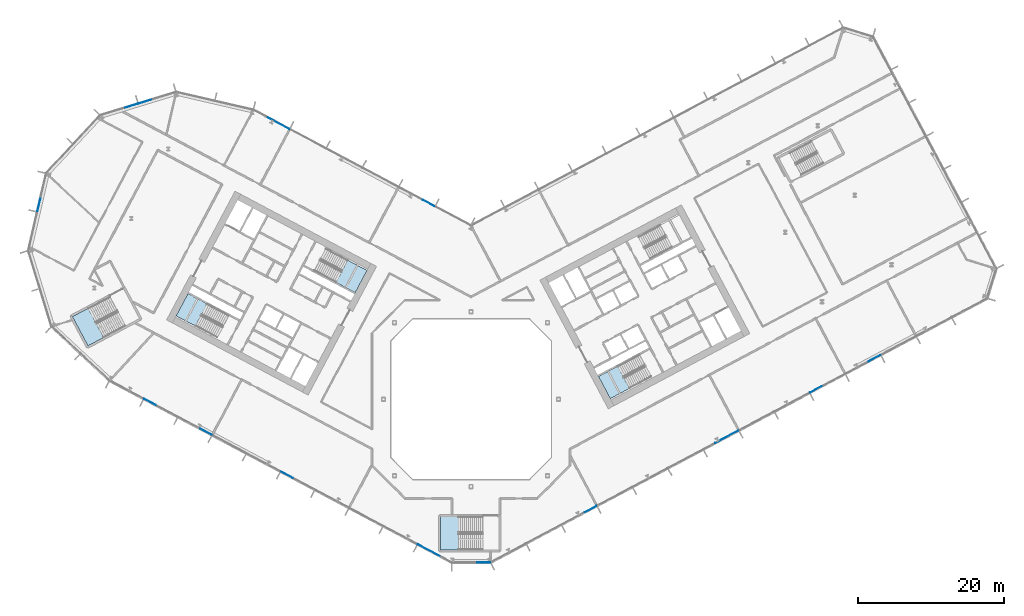
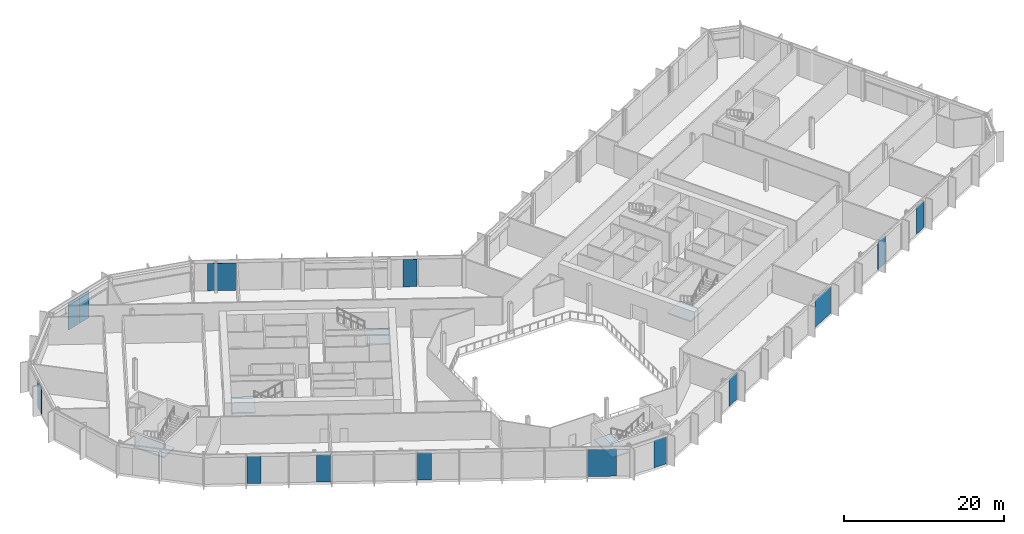
# One storey, part 10 of 32: 14 plates, 5 slabs, 11 elements without a shape of their own.
"""IFC4 building model written with IfcOpenShell, lengths in metres."""

from ifc_helpers import new_model, si_unit, direction, frame, origin, origin_2d, place, context, subcontext, project, spatial, polyline, rectangle, outline, extrude, material, layer, layer_set, type_object, element, aggregate, save


model = new_model("IFC4")

# Units and contexts
model_context = context("Model", 3, precision=1e-05, world=origin(), true_north=direction((0.0, 1.0)))
body_context = subcontext(model_context, "Body", "Model", "MODEL_VIEW")
ifc_project = project(units=[si_unit("LENGTHUNIT", "METRE"), si_unit("AREAUNIT", "SQUARE_METRE"), si_unit("VOLUMEUNIT", "CUBIC_METRE"), si_unit("PLANEANGLEUNIT", "RADIAN"), si_unit("MASSUNIT", "GRAM", prefix="KILO")], contexts=[model_context])

# Site, building, storey
site_placement = place(None, origin())
site = spatial("IfcSite", under=ifc_project, at=site_placement, CompositionType="ELEMENT")
building_placement = place(site_placement, origin())
building = spatial("IfcBuilding", under=site, at=building_placement, Name="Cormorant Relay Tower", CompositionType="ELEMENT")
storey_placement = place(building_placement, frame((0.0, 0.0, 70.800048828125)))
storey = spatial("IfcBuildingStorey", under=building, at=storey_placement, Name="L13", CompositionType="ELEMENT", Elevation=70.800048828125)

# Curtain wall, plate
ifc_material_1 = material(Name="Aluminium 6063-T6 anodised bronze", Category="aluminium")
ifc_layer_1 = layer(ifc_material_1, 0.199951171875)
ifc_layer_set_1 = layer_set([ifc_layer_1], Name="CW1 unitised bronze curtain wall with vertical fins")
curtain_wall_type = type_object("IfcCurtainWallType", Name="CW1 unitised bronze curtain wall with vertical fins", PredefinedType="NOTDEFINED", material=ifc_layer_set_1)
curtain_wall_1_placement = place(storey_placement, origin())
curtain_wall_1 = element("IfcCurtainWall", 1, at=curtain_wall_1_placement, inside=storey, type_object=curtain_wall_type, Name="CW1 curtain wall 1", PredefinedType="NOTDEFINED")
ifc_material_2 = material(Name="Tinted laminated glass", Category="glass")
ifc_layer_2 = layer(ifc_material_2, 0.0400390625)
ifc_layer_set_2 = layer_set([ifc_layer_2], Name="CW1 tinted vision panel 1800 module")
plate_type_1 = type_object("IfcPlateType", Name="CW1 tinted vision panel 1800 module", PredefinedType="CURTAIN_PANEL", material=ifc_layer_set_2)
plate_1_placement = place(storey_placement, frame((1.748779296875, -22.3955078125, 0.0), z_axis=(0.0, 0.0, 1.0), x_axis=(1.0, 0.0, 0.0)))
plate_1 = element("IfcPlate", 2, at=plate_1_placement, type_object=plate_type_1, Name="CW1 panel V01", PredefinedType="CURTAIN_PANEL", context=body_context, shape_type="SweptSolid", body=[
    extrude(rectangle(XDim=1.800048828125, YDim=0.0400390625, at=origin_2d()), origin(), (0.0, 0.0, 1.0), 4.14990234375),
])
aggregate(curtain_wall_1, [plate_1])

# Curtain wall, plates
curtain_wall_2_placement = place(storey_placement, origin())
curtain_wall_2 = element("IfcCurtainWall", 3, at=curtain_wall_2_placement, inside=storey, type_object=curtain_wall_type, Name="CW1 curtain wall 2", PredefinedType="NOTDEFINED")
plate_2_placement = place(storey_placement, frame((16.3974609375, -15.087890625, 0.0), z_axis=(0.0, 0.0, 1.0), x_axis=(0.882947592859, 0.469471562786, 0.0)))
plate_2 = element("IfcPlate", 4, at=plate_2_placement, type_object=plate_type_1, Name="CW1 panel V02", PredefinedType="CURTAIN_PANEL", context=body_context, shape_type="SweptSolid", body=[
    extrude(rectangle(XDim=1.800048828125, YDim=0.0400390625, at=origin_2d()), origin(), (0.0, 0.0, 1.0), 4.14990234375),
])
plate_3_placement = place(storey_placement, frame((47.319091796875, 1.353515625, 0.0), z_axis=(0.0, 0.0, 1.0), x_axis=(0.882947592859, 0.469471562786, 0.0)))
plate_3 = element("IfcPlate", 5, at=plate_3_placement, type_object=plate_type_1, Name="CW1 panel V09", PredefinedType="CURTAIN_PANEL", context=body_context, shape_type="SweptSolid", body=[
    extrude(rectangle(XDim=1.800048828125, YDim=0.0400390625, at=origin_2d()), origin(), (0.0, 0.0, 1.0), 4.14990234375),
])
plate_4_placement = place(storey_placement, frame((55.330810546875, 5.61328125, 0.0), z_axis=(0.0, 0.0, 1.0), x_axis=(0.882947592859, 0.469471562786, 0.0)))
plate_4 = element("IfcPlate", 6, at=plate_4_placement, type_object=plate_type_1, Name="CW1 panel V11", PredefinedType="CURTAIN_PANEL", context=body_context, shape_type="SweptSolid", body=[
    extrude(rectangle(XDim=1.800048828125, YDim=0.0400390625, at=origin_2d()), origin(), (0.0, 0.0, 1.0), 4.14990234375),
])

# Curtain wall, plate
curtain_wall_3_placement = place(storey_placement, origin())
curtain_wall_3 = element("IfcCurtainWall", 7, at=curtain_wall_3_placement, inside=storey, type_object=curtain_wall_type, Name="CW1 curtain wall 7", PredefinedType="NOTDEFINED")
plate_5_placement = place(storey_placement, frame((-5.830322265625, 26.90673828125, 0.0), z_axis=(0.0, 0.0, 1.0), x_axis=(-0.882947592859, 0.469471562786, 0.0)))
plate_5 = element("IfcPlate", 8, at=plate_5_placement, type_object=plate_type_1, Name="CW1 panel V01", PredefinedType="CURTAIN_PANEL", context=body_context, shape_type="SweptSolid", body=[
    extrude(rectangle(XDim=1.800048828125, YDim=0.0400390625, at=origin_2d()), origin(), (0.0, 0.0, 1.0), 4.14990234375),
])

# Curtain wall, plates
curtain_wall_4_placement = place(storey_placement, origin())
curtain_wall_4 = element("IfcCurtainWall", 9, at=curtain_wall_4_placement, inside=storey, type_object=curtain_wall_type, Name="CW1 curtain wall 9", PredefinedType="NOTDEFINED")
plate_6_placement = place(storey_placement, frame((-44.73681640625, 40.82861328125, 0.0), z_axis=(0.0, 0.0, 1.0), x_axis=(-0.956304755963, -0.292371704723, 0.0)))
plate_6 = element("IfcPlate", 10, at=plate_6_placement, type_object=plate_type_1, Name="CW1 panel V01", PredefinedType="CURTAIN_PANEL", context=body_context, shape_type="SweptSolid", body=[
    extrude(rectangle(XDim=1.800048828125, YDim=0.0400390625, at=origin_2d()), origin(), (0.0, 0.0, 1.0), 4.14990234375),
])
plate_7_placement = place(storey_placement, frame((-46.6015625, 40.25830078125, 0.0), z_axis=(0.0, 0.0, 1.0), x_axis=(-0.956304755963, -0.292371704723, 0.0)))
plate_7 = element("IfcPlate", 11, at=plate_7_placement, type_object=plate_type_1, Name="CW1 panel V02", PredefinedType="CURTAIN_PANEL", context=body_context, shape_type="SweptSolid", body=[
    extrude(rectangle(XDim=1.800048828125, YDim=0.0400390625, at=origin_2d()), origin(), (0.0, 0.0, 1.0), 4.14990234375),
])
aggregate(curtain_wall_4, [plate_6, plate_7])

# Curtain wall, plate
curtain_wall_5_placement = place(storey_placement, origin())
curtain_wall_5 = element("IfcCurtainWall", 12, at=curtain_wall_5_placement, inside=storey, type_object=curtain_wall_type, Name="CW1 curtain wall 11", PredefinedType="NOTDEFINED")
plate_8_placement = place(storey_placement, frame((-59.29736328125, 26.643798828125, 0.0), z_axis=(0.0, 0.0, 1.0), x_axis=(-0.224951054344, -0.974370064785, 0.0)))
plate_8 = element("IfcPlate", 13, at=plate_8_placement, type_object=plate_type_1, Name="CW1 panel V01", PredefinedType="CURTAIN_PANEL", context=body_context, shape_type="SweptSolid", body=[
    extrude(rectangle(XDim=1.800048828125, YDim=0.0400390625, at=origin_2d()), origin(), (0.0, 0.0, 1.0), 4.14990234375),
])
aggregate(curtain_wall_5, [plate_8])

# Curtain wall, plates
curtain_wall_6_placement = place(storey_placement, origin())
curtain_wall_6 = element("IfcCurtainWall", 14, at=curtain_wall_6_placement, inside=storey, type_object=curtain_wall_type, Name="CW1 curtain wall 14", PredefinedType="NOTDEFINED")
plate_9_placement = place(storey_placement, frame((-44.0458984375, -0.38720703125, 0.0), z_axis=(0.0, 0.0, 1.0), x_axis=(0.882947592859, -0.469471562786, 0.0)))
plate_9 = element("IfcPlate", 15, at=plate_9_placement, type_object=plate_type_1, Name="CW1 panel V01", PredefinedType="CURTAIN_PANEL", context=body_context, shape_type="SweptSolid", body=[
    extrude(rectangle(XDim=1.800048828125, YDim=0.0400390625, at=origin_2d()), origin(), (0.0, 0.0, 1.0), 4.14990234375),
])
plate_10_placement = place(storey_placement, frame((-36.37890625, -4.463623046875, 0.0), z_axis=(0.0, 0.0, 1.0), x_axis=(0.882947592859, -0.469471562786, 0.0)))
plate_10 = element("IfcPlate", 16, at=plate_10_placement, type_object=plate_type_1, Name="CW1 panel V03", PredefinedType="CURTAIN_PANEL", context=body_context, shape_type="SweptSolid", body=[
    extrude(rectangle(XDim=1.800048828125, YDim=0.0400390625, at=origin_2d()), origin(), (0.0, 0.0, 1.0), 4.14990234375),
])
plate_11_placement = place(storey_placement, frame((-25.268798828125, -10.37109375, 0.0), z_axis=(0.0, 0.0, 1.0), x_axis=(0.882947592859, -0.469471562786, 0.0)))
plate_11 = element("IfcPlate", 17, at=plate_11_placement, type_object=plate_type_1, Name="CW1 panel V05", PredefinedType="CURTAIN_PANEL", context=body_context, shape_type="SweptSolid", body=[
    extrude(rectangle(XDim=1.800048828125, YDim=0.0400390625, at=origin_2d()), origin(), (0.0, 0.0, 1.0), 4.14990234375),
])

# Plate
ifc_material_3 = material(Name="Tinted laminated glass", Category="glass")
ifc_layer_3 = layer(ifc_material_3, 0.0400390625)
ifc_layer_set_3 = layer_set([ifc_layer_3], Name="CW1 tinted vision panel 3600 module")
plate_type_2 = type_object("IfcPlateType", Name="CW1 tinted vision panel 3600 module", PredefinedType="CURTAIN_PANEL", material=ifc_layer_set_3)
plate_12_placement = place(storey_placement, frame((35.0693359375, -5.159912109375, 0.0), z_axis=(0.0, 0.0, 1.0), x_axis=(0.882947592859, 0.469471562786, 0.0)))
plate_12 = element("IfcPlate", 18, at=plate_12_placement, type_object=plate_type_2, Name="CW1 panel V06", PredefinedType="CURTAIN_PANEL", context=body_context, shape_type="SweptSolid", body=[
    extrude(rectangle(XDim=3.60009765625, YDim=0.0400390625, at=origin_2d()), origin(), (0.0, 0.0, 1.0), 4.14990234375),
])

aggregate(curtain_wall_2, [plate_2, plate_12, plate_3, plate_4])

plate_13_placement = place(storey_placement, frame((-26.541015625, 37.918701171875, 0.0), z_axis=(0.0, 0.0, 1.0), x_axis=(-0.882947592859, 0.469471562786, 0.0)))
plate_13 = element("IfcPlate", 19, at=plate_13_placement, type_object=plate_type_2, Name="CW1 panel V05", PredefinedType="CURTAIN_PANEL", context=body_context, shape_type="SweptSolid", body=[
    extrude(rectangle(XDim=3.60009765625, YDim=0.0400390625, at=origin_2d()), origin(), (0.0, 0.0, 1.0), 4.14990234375),
])

aggregate(curtain_wall_3, [plate_5, plate_13])

plate_14_placement = place(storey_placement, frame((-5.697021484375, -20.777587890625, 0.0), z_axis=(0.0, 0.0, 1.0), x_axis=(0.882947592859, -0.469471562786, 0.0)))
plate_14 = element("IfcPlate", 20, at=plate_14_placement, type_object=plate_type_2, Name="CW1 panel V08", PredefinedType="CURTAIN_PANEL", context=body_context, shape_type="SweptSolid", body=[
    extrude(rectangle(XDim=3.60009765625, YDim=0.0400390625, at=origin_2d()), origin(), (0.0, 0.0, 1.0), 4.14990234375),
])

aggregate(curtain_wall_6, [plate_9, plate_10, plate_11, plate_14])

# Stair, slab
ifc_material_4 = material(Name="Concrete 40 MPa", Category="concrete")
stair_type_1 = type_object("IfcStairType", Name="Exit stair 1500", PredefinedType="HALF_TURN_STAIR", material=ifc_material_4)
stair_1_placement = place(storey_placement, origin())
stair_1 = element("IfcStair", 21, at=stair_1_placement, inside=storey, type_object=stair_type_1, Name="L13 Stair", PredefinedType="HALF_TURN_STAIR")
ifc_material_5 = material(Name="Concrete 40 MPa", Category="concrete")
ifc_layer_4 = layer(ifc_material_5, 0.199951171875)
ifc_layer_set_4 = layer_set([ifc_layer_4], Name="Exit stair landing 200")
slab_type = type_object("IfcSlabType", Name="Exit stair landing 200", PredefinedType="LANDING", material=ifc_layer_set_4)
slab_1_placement = place(storey_placement, frame((0.0, 0.0, 2.099853515625)))
slab_1 = element("IfcSlab", 22, at=slab_1_placement, type_object=slab_type, Name="A1 landing 1", PredefinedType="LANDING", context=body_context, shape_type="SweptSolid", body=[
    extrude(outline(polyline([(-18.534912109375, 16.02783203125), (-15.89501953125, 14.6240234375), (-14.275390625, 17.670166015625), (-16.915283203125, 19.073974609375), (-18.534912109375, 16.02783203125)])), origin(), (0.0, 0.0, 1.0), 0.2001953125),
])
aggregate(stair_1, [slab_1])

stair_2_placement = place(storey_placement, origin())
stair_2 = element("IfcStair", 23, at=stair_2_placement, inside=storey, type_object=stair_type_1, Name="L13 Stair", PredefinedType="HALF_TURN_STAIR")
slab_2_placement = place(storey_placement, frame((0.0, 0.0, 2.099853515625)))
slab_2 = element("IfcSlab", 24, at=slab_2_placement, type_object=slab_type, Name="A2 landing 1", PredefinedType="LANDING", context=body_context, shape_type="SweptSolid", body=[
    extrude(outline(polyline([(-36.207763671875, 13.07958984375), (-38.84765625, 14.483154296875), (-40.467529296875, 11.43701171875), (-37.827392578125, 10.033447265625), (-36.207763671875, 13.07958984375)])), origin(), (0.0, 0.0, 1.0), 0.2001953125),
])
aggregate(stair_2, [slab_2])

stair_3_placement = place(storey_placement, origin())
stair_3 = element("IfcStair", 25, at=stair_3_placement, inside=storey, type_object=stair_type_1, Name="L13 Stair", PredefinedType="HALF_TURN_STAIR")
slab_3_placement = place(storey_placement, frame((0.0, 0.0, 2.099853515625)))
slab_3 = element("IfcSlab", 26, at=slab_3_placement, type_object=slab_type, Name="B1 landing 1", PredefinedType="LANDING", context=body_context, shape_type="SweptSolid", body=[
    extrude(outline(polyline([(20.120361328125, 4.525634765625), (17.48046875, 3.1220703125), (19.10009765625, 0.075927734375), (21.740234375, 1.4794921875), (20.120361328125, 4.525634765625)])), origin(), (0.0, 0.0, 1.0), 0.2001953125),
])
aggregate(stair_3, [slab_3])

ifc_material_6 = material(Name="Concrete 40 MPa", Category="concrete")
stair_type_2 = type_object("IfcStairType", Name="Remote exit stair 2200", PredefinedType="HALF_TURN_STAIR", material=ifc_material_6)
stair_4_placement = place(storey_placement, origin())
stair_4 = element("IfcStair", 27, at=stair_4_placement, inside=storey, type_object=stair_type_2, Name="L13 Stair", PredefinedType="HALF_TURN_STAIR")
slab_4_placement = place(storey_placement, frame((0.0, 0.0, 2.099853515625)))
slab_4 = element("IfcSlab", 28, at=slab_4_placement, type_object=slab_type, Name="RK1 landing 1", PredefinedType="LANDING", context=body_context, shape_type="SweptSolid", body=[
    extrude(outline(polyline([(-1.760009765625, -16.125), (-4.199951171875, -16.125), (-4.199951171875, -20.675048828125), (-1.760009765625, -20.675048828125), (-1.760009765625, -16.125)])), origin(), (0.0, 0.0, 1.0), 0.2001953125),
])
aggregate(stair_4, [slab_4])

stair_5_placement = place(storey_placement, origin())
stair_5 = element("IfcStair", 29, at=stair_5_placement, inside=storey, type_object=stair_type_2, Name="L13 Stair", PredefinedType="HALF_TURN_STAIR")
slab_5_placement = place(storey_placement, frame((0.0, 0.0, 2.099853515625)))
slab_5 = element("IfcSlab", 30, at=slab_5_placement, type_object=slab_type, Name="RP1 landing 1", PredefinedType="LANDING", context=body_context, shape_type="SweptSolid", body=[
    extrude(outline(polyline([(-52.54541015625, 12.476318359375), (-54.699951171875, 11.330810546875), (-52.563720703125, 7.3134765625), (-50.409423828125, 8.458984375), (-52.54541015625, 12.476318359375)])), origin(), (0.0, 0.0, 1.0), 0.2001953125),
])
aggregate(stair_5, [slab_5])

save(model, "model.ifc")
